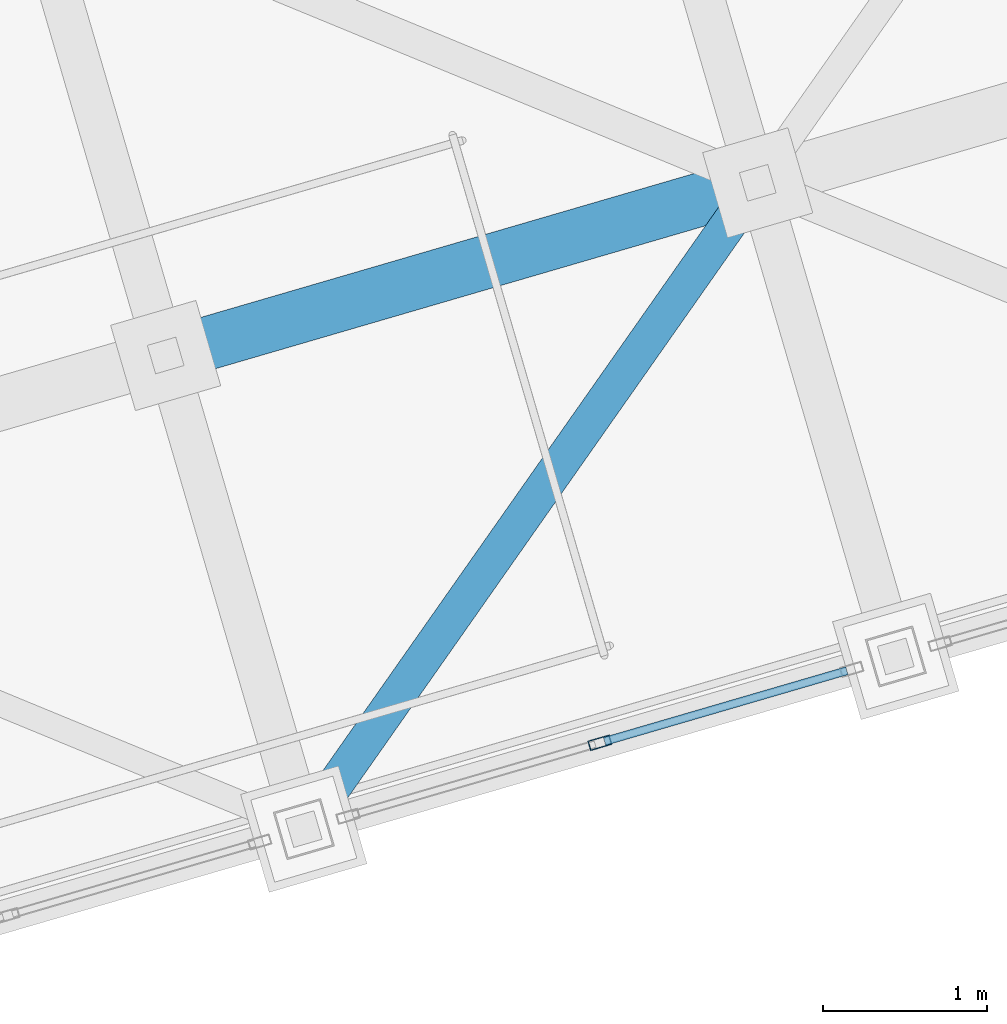
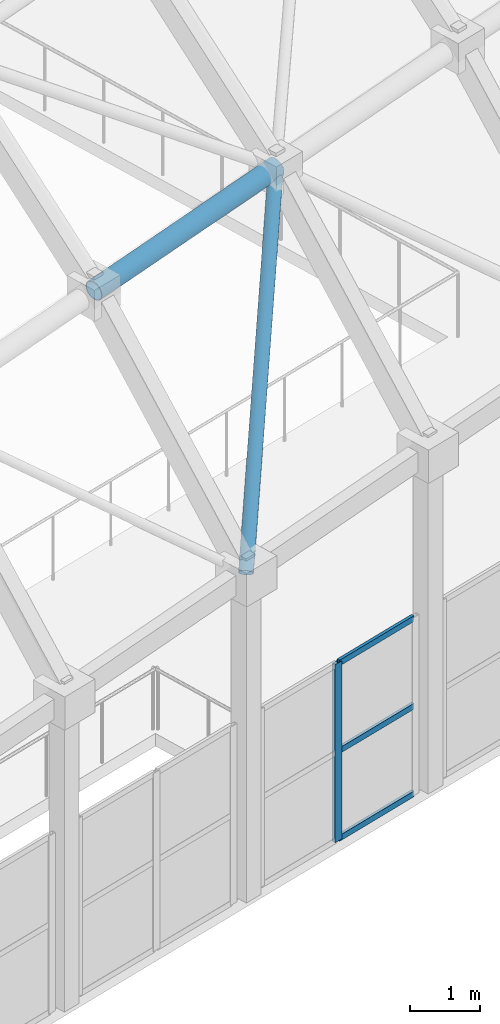
# One storey, part 62 of 248: 6 members, 1 element without a shape of its own.
"""IFC4 building model written with IfcOpenShell, lengths in metres."""

from ifc_helpers import new_model, si_unit, direction, frame, origin, origin_2d, place, context, subcontext, project, spatial, hollow_rectangle, hollow_circle, extrude, material, layer, layer_set, material_profile, profile_set, type_object, element, aggregate, save


model = new_model("IFC4")

# Units and contexts
model_context = context("Model", 3, precision=1e-05, world=origin(), true_north=direction((0.0, 1.0)))
body_context = subcontext(model_context, "Body", "Model", "MODEL_VIEW")
ifc_project = project(units=[si_unit("LENGTHUNIT", "METRE"), si_unit("AREAUNIT", "SQUARE_METRE"), si_unit("VOLUMEUNIT", "CUBIC_METRE"), si_unit("PLANEANGLEUNIT", "RADIAN"), si_unit("MASSUNIT", "GRAM", prefix="KILO")], contexts=[model_context])

# Site, building, storey
site_placement = place(None, origin())
site = spatial("IfcSite", under=ifc_project, at=site_placement, CompositionType="ELEMENT")
building_placement = place(site_placement, origin())
building = spatial("IfcBuilding", under=site, at=building_placement, Name="Canggui Botanical Conservatory", CompositionType="ELEMENT")
storey_placement = place(building_placement, frame((0.0, 0.0, 5.39990234375)))
storey = spatial("IfcBuildingStorey", under=building, at=storey_placement, Name="L02", CompositionType="ELEMENT", Elevation=5.39990234375)

# Curtain wall, members
ifc_material_1 = material(Name="Thermally Broken Aluminium", Category="aluminium")
ifc_layer = layer(ifc_material_1, 0.135009765625, Name="Thermally Broken Aluminium", Category="aluminium")
ifc_layer_set = layer_set([ifc_layer], Name="Thermally Broken Aluminium")
curtain_wall_type = type_object("IfcCurtainWallType", Name="CW-STICK-A", PredefinedType="USERDEFINED", material=ifc_layer_set)
curtain_wall_placement = place(storey_placement, origin())
curtain_wall = element("IfcCurtainWall", 1, at=curtain_wall_placement, inside=storey, type_object=curtain_wall_type, Name="Facade Curtain Wall CW-CONS-L02-V0-09", ObjectType="STICK GLAZED WALL", PredefinedType="USERDEFINED")
ifc_material_profile_1 = material_profile(ifc_material_1, hollow_rectangle(XDim=0.06005859375, YDim=0.135009765625, WallThickness=0.00341796875, at=origin_2d()), Name="CWM 60x135x3.5")
ifc_profile_set_1 = profile_set([ifc_material_profile_1], Name="Thermally Broken Aluminium")
member_type_1 = type_object("IfcMemberType", Name="CWM-04", PredefinedType="MULLION", material=ifc_profile_set_1)
member_1_placement = place(storey_placement, frame((50.60009765625, 50.925048828125, 0.0), z_axis=(0.0, 0.0, 1.0), x_axis=(0.279999999995, -0.960000000002, 0.0)))
member_1 = element("IfcMember", 2, at=member_1_placement, type_object=member_type_1, Name="CW-04 mullion 2", PredefinedType="MULLION", context=body_context, shape_type="SweptSolid", body=[
    extrude(hollow_rectangle(XDim=0.06005859375, YDim=0.135009765625, WallThickness=0.00341796875, at=origin_2d()), origin(), (0.0, 0.0, 1.0), 3.10009765625),
])
ifc_material_profile_2 = material_profile(ifc_material_1, hollow_rectangle(XDim=0.050048828125, YDim=0.10009765625, WallThickness=0.0029296875, at=origin_2d()), Name="CWT 50x100x3")
ifc_profile_set_2 = profile_set([ifc_material_profile_2], Name="Thermally Broken Aluminium")
member_type_2 = type_object("IfcMemberType", Name="CWT-04", PredefinedType="USERDEFINED", material=ifc_profile_set_2)
member_2_placement = place(storey_placement, frame((52.102294921875, 51.36328125, 0.025146484375), z_axis=(-0.95996614364, -0.28011605285, 0.0), x_axis=(0.28011605285, -0.95996614364, 0.0)))
member_2 = element("IfcMember", 3, at=member_2_placement, type_object=member_type_2, Name="CW-04 transom 1.1", ObjectType="TRANSOM", PredefinedType="USERDEFINED", context=body_context, shape_type="SweptSolid", body=[
    extrude(hollow_rectangle(XDim=0.050048828125, YDim=0.10009765625, WallThickness=0.0029296875, at=origin_2d()), origin(), (0.0, 0.0, 1.0), 1.534912109375),
])
member_3_placement = place(storey_placement, frame((52.102294921875, 51.36328125, 1.550048828125), z_axis=(-0.95996614364, -0.28011605285, 0.0), x_axis=(0.28011605285, -0.95996614364, 0.0)))
member_3 = element("IfcMember", 4, at=member_3_placement, type_object=member_type_2, Name="CW-04 transom 1.2", ObjectType="TRANSOM", PredefinedType="USERDEFINED", context=body_context, shape_type="SweptSolid", body=[
    extrude(hollow_rectangle(XDim=0.050048828125, YDim=0.10009765625, WallThickness=0.0029296875, at=origin_2d()), origin(), (0.0, 0.0, 1.0), 1.534912109375),
])
member_4_placement = place(storey_placement, frame((52.102294921875, 51.36328125, 3.0751953125), z_axis=(-0.95996614364, -0.28011605285, 0.0), x_axis=(0.28011605285, -0.95996614364, 0.0)))
member_4 = element("IfcMember", 5, at=member_4_placement, type_object=member_type_2, Name="CW-04 transom 1.3", ObjectType="TRANSOM", PredefinedType="USERDEFINED", context=body_context, shape_type="SweptSolid", body=[
    extrude(hollow_rectangle(XDim=0.050048828125, YDim=0.10009765625, WallThickness=0.0029296875, at=origin_2d()), origin(), (0.0, 0.0, 1.0), 1.534912109375),
])
aggregate(curtain_wall, [member_1, member_2, member_3, member_4])

# Members
ifc_material_2 = material(Name="Steel Q355C", Category="steel")
ifc_material_profile_3 = material_profile(ifc_material_2, hollow_circle(Radius=0.16259765625, WallThickness=0.011962890625, at=origin_2d()), Name="CHS 325x12")
ifc_profile_set_3 = profile_set([ifc_material_profile_3], Name="Steel Q355C")
member_type_3 = type_object("IfcMemberType", Name="MEM-GSC01", PredefinedType="CHORD", material=ifc_profile_set_3)
member_5_placement = place(storey_placement, frame((47.9599609375, 53.280029296875, 9.05615234375), z_axis=(0.957872417874, 0.27938486839, 0.066517113516), x_axis=(-0.280004999853, 0.959998541695, 0.0)))
element("IfcMember", 6, at=member_5_placement, inside=storey, type_object=member_type_3, Name="Conservatory Gridshell Longitudinal Chord 9-1", PredefinedType="CHORD", context=body_context, shape_type="SweptSolid", body=[
    extrude(hollow_circle(Radius=0.16259765625, WallThickness=0.011962890625, at=origin_2d()), origin(), (0.0, 0.0, 1.0), 3.758544921875),
])
ifc_material_profile_4 = material_profile(ifc_material_2, hollow_circle(Radius=0.109619140625, WallThickness=0.008056640625, at=origin_2d()), Name="CHS 219x8")
ifc_profile_set_4 = profile_set([ifc_material_profile_4], Name="Steel Q355C")
member_type_4 = type_object("IfcMemberType", Name="MEM-GSD01", PredefinedType="RAFTER", material=ifc_profile_set_4)
member_6_placement = place(storey_placement, frame((48.800048828125, 50.39990234375, 5.60009765625), z_axis=(0.454981697349, 0.647881058286, 0.610935176096), x_axis=(-0.818361645525, 0.574703590674, 0.0)))
element("IfcMember", 7, at=member_6_placement, inside=storey, type_object=member_type_4, Name="Conservatory Gridshell Diagrid Rafter 9-1", PredefinedType="RAFTER", context=body_context, shape_type="SweptSolid", body=[
    extrude(hollow_circle(Radius=0.109619140625, WallThickness=0.008056640625, at=origin_2d()), origin(), (0.0, 0.0, 1.0), 6.066162109375),
])

save(model, "model.ifc")
